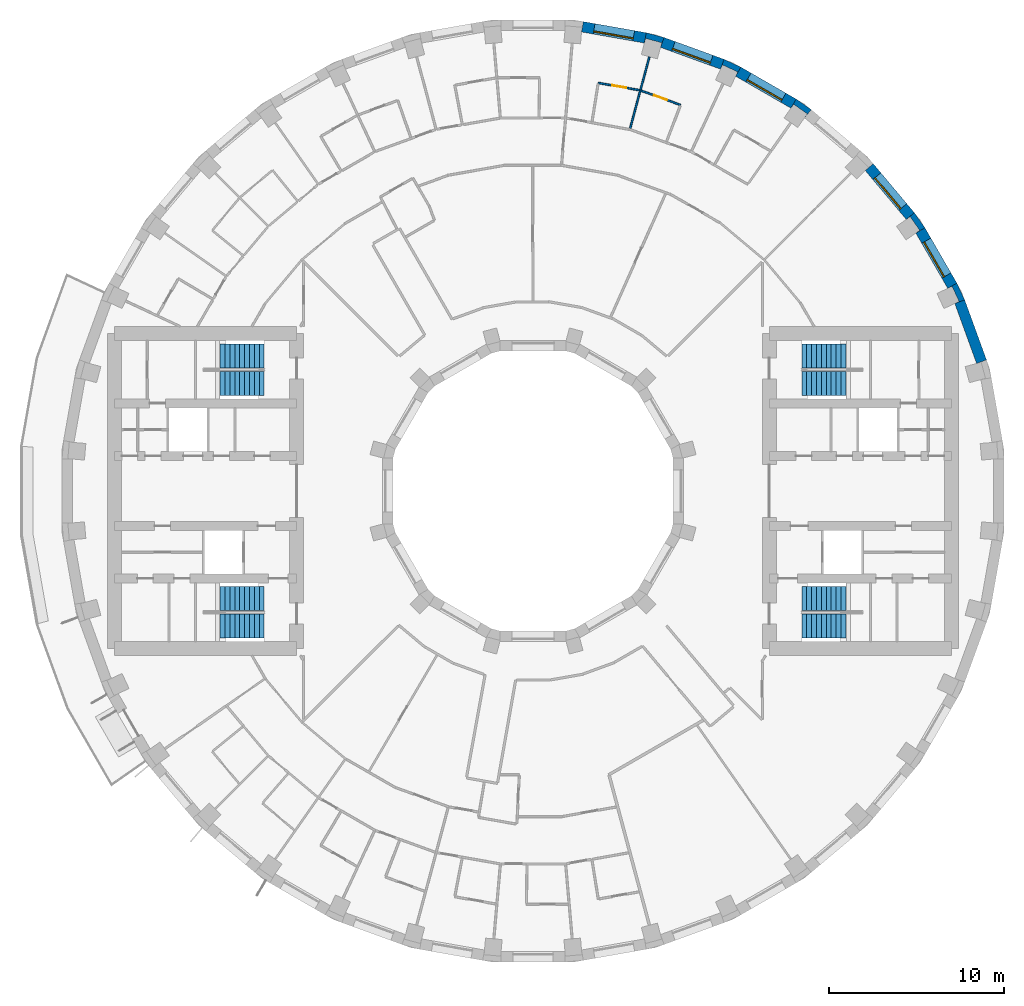
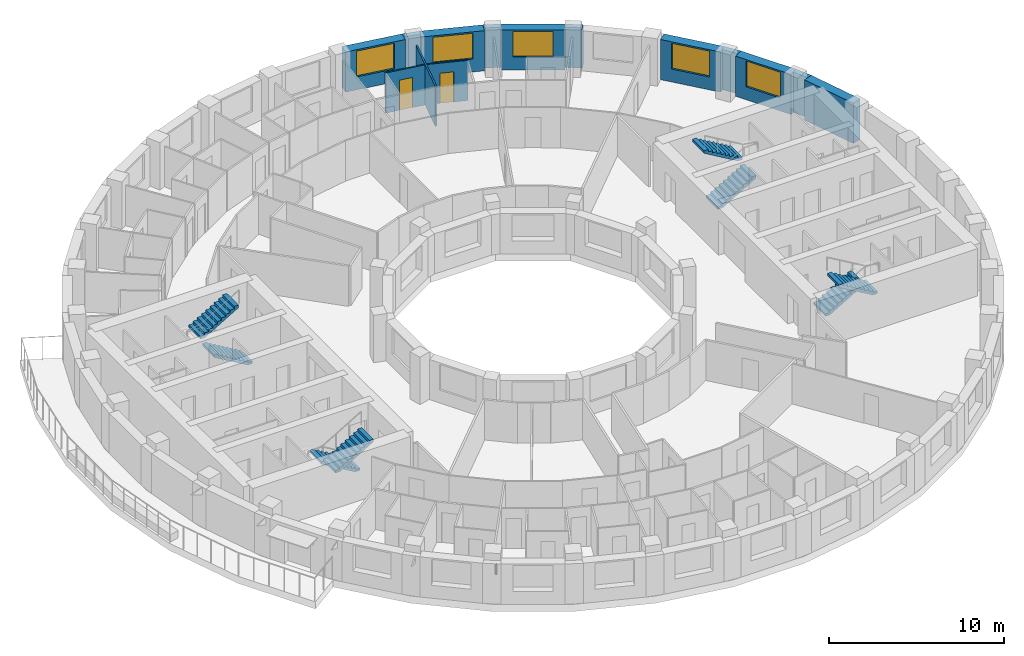
# One storey, part 11 of 13: 14 walls, 8 stair flights, 5 windows, 2 doors, 7 openings, 4 elements without a shape of their own.
"""IFC4 building model written with IfcOpenShell, lengths in metres."""

from ifc_helpers import new_model, si_unit, direction, frame, frame_2d, origin, place, context, subcontext, project, spatial, polyline, rectangle, outline, extrude, material, layer, layer_set, type_object, element, fill, aggregate, save


model = new_model("IFC4")

# Units and contexts
model_context = context("Model", 3, precision=1e-05, world=origin(), true_north=direction((0.0, 1.0)))
body_context = subcontext(model_context, "Body", "Model", "MODEL_VIEW")
ifc_project = project(units=[si_unit("LENGTHUNIT", "METRE"), si_unit("AREAUNIT", "SQUARE_METRE"), si_unit("VOLUMEUNIT", "CUBIC_METRE"), si_unit("PLANEANGLEUNIT", "RADIAN"), si_unit("MASSUNIT", "GRAM", prefix="KILO")], contexts=[model_context])

# Site, building, storey
site_placement = place(None, origin())
site = spatial("IfcSite", under=ifc_project, at=site_placement, CompositionType="ELEMENT")
building_placement = place(site_placement, origin())
building = spatial("IfcBuilding", under=site, at=building_placement, Name="Saqina Gate Tower", CompositionType="ELEMENT")
storey_placement = place(building_placement, frame((0.0, 0.0, 118.300048828125)))
storey = spatial("IfcBuildingStorey", under=building, at=storey_placement, Name="L33", CompositionType="ELEMENT", Elevation=118.300048828125)

# Walls
ifc_material_1 = material(Name="Brick masonry (buff)", Category="masonry")
wall_type_1 = type_object("IfcWallType", Name="BRICK PIER COPING BUFF", PredefinedType="SOLIDWALL", material=ifc_material_1)
wall_1_placement = place(storey_placement, origin())
element("IfcWall", 1, at=wall_1_placement, inside=storey, type_object=wall_type_1, Name="Pier cap L33 column 3", PredefinedType="SOLIDWALL", context=body_context, shape_type="SweptSolid", body=[
    extrude(outline(polyline([(24.6513671875, 10.913330078125), (24.205810546875, 11.869140625), (23.68603515625, 11.569091796875), (23.9296875, 11.6826171875), (24.331298828125, 10.82177734375), (24.08740234375, 10.7080078125), (24.6513671875, 10.913330078125)])), origin(), (0.0, 0.0, 1.0), 2.800048828125),
])
wall_2_placement = place(storey_placement, origin())
element("IfcWall", 2, at=wall_2_placement, inside=storey, type_object=wall_type_1, Name="Pier cap L33 column 4", PredefinedType="SOLIDWALL", context=body_context, shape_type="SweptSolid", body=[
    extrude(outline(polyline([(21.77685546875, 15.89208984375), (21.317138671875, 15.50634765625), (21.53759765625, 15.66064453125), (22.08251953125, 14.88232421875), (21.862060546875, 14.728271484375), (22.3818359375, 15.0283203125), (21.77685546875, 15.89208984375)])), origin(), (0.0, 0.0, 1.0), 2.800048828125),
])
wall_3_placement = place(storey_placement, origin())
element("IfcWall", 3, at=wall_3_placement, inside=storey, type_object=wall_type_1, Name="Pier cap L33 column 6", PredefinedType="SOLIDWALL", context=body_context, shape_type="SweptSolid", body=[
    extrude(outline(polyline([(15.0283203125, 22.3818359375), (14.728271484375, 21.862060546875), (14.88232421875, 22.08251953125), (15.66064453125, 21.53759765625), (15.50634765625, 21.317138671875), (15.89208984375, 21.77685546875), (15.0283203125, 22.3818359375)])), origin(), (0.0, 0.0, 1.0), 2.800048828125),
])
wall_4_placement = place(storey_placement, origin())
element("IfcWall", 4, at=wall_4_placement, inside=storey, type_object=wall_type_1, Name="Pier cap L33 column 7", PredefinedType="SOLIDWALL", context=body_context, shape_type="SweptSolid", body=[
    extrude(outline(polyline([(10.913330078125, 24.6513671875), (10.7080078125, 24.08740234375), (10.82177734375, 24.331298828125), (11.6826171875, 23.9296875), (11.569091796875, 23.68603515625), (11.869140625, 24.205810546875), (10.913330078125, 24.6513671875)])), origin(), (0.0, 0.0, 1.0), 2.800048828125),
])
wall_5_placement = place(storey_placement, origin())
element("IfcWall", 5, at=wall_5_placement, inside=storey, type_object=wall_type_1, Name="Pier cap L33 column 8", PredefinedType="SOLIDWALL", context=body_context, shape_type="SweptSolid", body=[
    extrude(outline(polyline([(7.485595703125, 25.89892578125), (6.466796875, 26.171875), (6.36279296875, 25.5810546875), (6.43212890625, 25.8408203125), (7.349853515625, 25.5947265625), (7.2802734375, 25.335205078125), (7.485595703125, 25.89892578125)])), origin(), (0.0, 0.0, 1.0), 2.800048828125),
])

# Wall, opening, window
ifc_material_2 = material(Name="Brick masonry (buff)", Category="masonry")
ifc_layer_1 = layer(ifc_material_2, 0.60009765625)
ifc_layer_set_1 = layer_set([ifc_layer_1], Name="FW-BRICK-BUFF")
wall_type_2 = type_object("IfcWallType", Name="FW-BRICK-BUFF", PredefinedType="SOLIDWALL", material=ifc_layer_set_1)
wall_6_placement = place(storey_placement, frame((23.94580078125, 11.718994140625, 0.0), z_axis=(0.0, 0.0, 1.0), x_axis=(-0.499954196102, 0.866051847062, 0.0)))
wall_6 = element("IfcWall", 6, at=wall_6_placement, inside=storey, type_object=wall_type_2, Name="Facade wall L33 facet 3", PredefinedType="SOLIDWALL", context=body_context, shape_type="SweptSolid", body=[
    extrude(rectangle(XDim=3.647705078125, YDim=0.60009765625, at=frame_2d((1.82373046875, 0.0))), origin(), (0.0, 0.0, 1.0), 2.800048828125),
])
opening_1_placement = place(wall_6_placement, frame((0.673828125, 0.0, 0.89990234375)))
opening_1 = element("IfcOpeningElement", 7, at=opening_1_placement, cuts=wall_6, Name="Opening G09-W01", PredefinedType="OPENING", context=body_context, shape_type="SweptSolid", body=[
    extrude(rectangle(XDim=2.300048828125, YDim=1.800048828125, at=frame_2d((1.14990234375, 0.89990234375))), frame((0.0, 0.31201171875, 0.0), z_axis=(0.0, -1.0, 0.0), x_axis=(1.0, 0.0, 0.0)), (0.0, 0.0, 1.0), 0.6240234375),
])
ifc_material_3 = material(Name="Aluminium glazing", Category="aluminium")
window_type = type_object("IfcWindowType", Name="WN-B", PartitioningType="SINGLE_PANEL", PredefinedType="WINDOW", material=ifc_material_3)
window_1_placement = place(opening_1_placement, origin())
window_1 = element("IfcWindow", 8, at=window_1_placement, inside=storey, type_object=window_type, Name="Window L33 facet 3", OverallHeight=1.800048828125, OverallWidth=2.300048828125, PartitioningType="SINGLE_PANEL", PredefinedType="WINDOW", context=body_context, shape_type="SweptSolid", body=[
    extrude(rectangle(XDim=2.300048828125, YDim=1.800048828125, at=frame_2d((1.14990234375, 0.89990234375))), frame((0.0, 0.179931640625, 0.0), z_axis=(0.0, -1.0, 0.0), x_axis=(1.0, 0.0, 0.0)), (0.0, 0.0, 1.0), 0.06005859375),
])
fill(opening_1, window_1)

wall_7_placement = place(storey_placement, frame((21.547119140625, 15.69921875, 0.0), z_axis=(0.0, 0.0, 1.0), x_axis=(-0.642774476932, 0.766055462616, 0.0)))
wall_7 = element("IfcWall", 9, at=wall_7_placement, inside=storey, type_object=wall_type_2, Name="Facade wall L33 facet 4", PredefinedType="SOLIDWALL", context=body_context, shape_type="SweptSolid", body=[
    extrude(rectangle(XDim=3.647705078125, YDim=0.60009765625, at=frame_2d((1.82373046875, 0.0))), origin(), (0.0, 0.0, 1.0), 2.800048828125),
])
opening_2_placement = place(wall_7_placement, frame((0.673828125, 0.0, 0.89990234375)))
opening_2 = element("IfcOpeningElement", 10, at=opening_2_placement, cuts=wall_7, Name="Opening G09-W02", PredefinedType="OPENING", context=body_context, shape_type="SweptSolid", body=[
    extrude(rectangle(XDim=2.300048828125, YDim=1.800048828125, at=frame_2d((1.14990234375, 0.89990234375))), frame((0.0, 0.31201171875, 0.0), z_axis=(0.0, -1.0, 0.0), x_axis=(1.0, 0.0, 0.0)), (0.0, 0.0, 1.0), 0.6240234375),
])
window_2_placement = place(opening_2_placement, origin())
window_2 = element("IfcWindow", 11, at=window_2_placement, inside=storey, type_object=window_type, Name="Window L33 facet 4", OverallHeight=1.800048828125, OverallWidth=2.300048828125, PartitioningType="SINGLE_PANEL", PredefinedType="WINDOW", context=body_context, shape_type="SweptSolid", body=[
    extrude(rectangle(XDim=2.300048828125, YDim=1.800048828125, at=frame_2d((1.14990234375, 0.89990234375))), frame((0.0, 0.179931640625, 0.0), z_axis=(0.0, -1.0, 0.0), x_axis=(1.0, 0.0, 0.0)), (0.0, 0.0, 1.0), 0.06005859375),
])
fill(opening_2, window_2)

wall_8_placement = place(storey_placement, frame((14.878173828125, 22.1220703125, 0.0), z_axis=(0.0, 0.0, 1.0), x_axis=(-0.866051847062, 0.499954196102, 0.0)))
wall_8 = element("IfcWall", 12, at=wall_8_placement, inside=storey, type_object=wall_type_2, Name="Facade wall L33 facet 6", PredefinedType="SOLIDWALL", context=body_context, shape_type="SweptSolid", body=[
    extrude(rectangle(XDim=3.647705078125, YDim=0.60009765625, at=frame_2d((1.82373046875, 0.0))), origin(), (0.0, 0.0, 1.0), 2.800048828125),
])
opening_3_placement = place(wall_8_placement, frame((0.673828125, 0.0, 0.89990234375)))
opening_3 = element("IfcOpeningElement", 13, at=opening_3_placement, cuts=wall_8, Name="Opening G09-W04", PredefinedType="OPENING", context=body_context, shape_type="SweptSolid", body=[
    extrude(rectangle(XDim=2.300048828125, YDim=1.800048828125, at=frame_2d((1.14990234375, 0.89990234375))), frame((0.0, 0.31201171875, 0.0), z_axis=(0.0, -1.0, 0.0), x_axis=(1.0, 0.0, 0.0)), (0.0, 0.0, 1.0), 0.6240234375),
])
window_3_placement = place(opening_3_placement, origin())
window_3 = element("IfcWindow", 14, at=window_3_placement, inside=storey, type_object=window_type, Name="Window L33 facet 6", OverallHeight=1.800048828125, OverallWidth=2.300048828125, PartitioningType="SINGLE_PANEL", PredefinedType="WINDOW", context=body_context, shape_type="SweptSolid", body=[
    extrude(rectangle(XDim=2.300048828125, YDim=1.800048828125, at=frame_2d((1.14990234375, 0.89990234375))), frame((0.0, 0.179931640625, 0.0), z_axis=(0.0, -1.0, 0.0), x_axis=(1.0, 0.0, 0.0)), (0.0, 0.0, 1.0), 0.06005859375),
])
fill(opening_3, window_3)

wall_9_placement = place(storey_placement, frame((10.810791015625, 24.369384765625, 0.0), z_axis=(0.0, 0.0, 1.0), x_axis=(-0.939703505393, 0.341990236633, 0.0)))
wall_9 = element("IfcWall", 15, at=wall_9_placement, inside=storey, type_object=wall_type_2, Name="Facade wall L33 facet 7", PredefinedType="SOLIDWALL", context=body_context, shape_type="SweptSolid", body=[
    extrude(rectangle(XDim=3.64794921875, YDim=0.60009765625, at=frame_2d((1.823974609375, 0.0))), origin(), (0.0, 0.0, 1.0), 2.800048828125),
])
opening_4_placement = place(wall_9_placement, frame((0.673828125, 0.0, 0.89990234375)))
opening_4 = element("IfcOpeningElement", 16, at=opening_4_placement, cuts=wall_9, Name="Opening G09-W05", PredefinedType="OPENING", context=body_context, shape_type="SweptSolid", body=[
    extrude(rectangle(XDim=2.300048828125, YDim=1.800048828125, at=frame_2d((1.14990234375, 0.89990234375))), frame((0.0, 0.31201171875, 0.0), z_axis=(0.0, -1.0, 0.0), x_axis=(1.0, 0.0, 0.0)), (0.0, 0.0, 1.0), 0.6240234375),
])
window_4_placement = place(opening_4_placement, origin())
window_4 = element("IfcWindow", 17, at=window_4_placement, inside=storey, type_object=window_type, Name="Window L33 facet 7", OverallHeight=1.800048828125, OverallWidth=2.300048828125, PartitioningType="SINGLE_PANEL", PredefinedType="WINDOW", context=body_context, shape_type="SweptSolid", body=[
    extrude(rectangle(XDim=2.300048828125, YDim=1.800048828125, at=frame_2d((1.14990234375, 0.89990234375))), frame((0.0, 0.179931640625, 0.0), z_axis=(0.0, -1.0, 0.0), x_axis=(1.0, 0.0, 0.0)), (0.0, 0.0, 1.0), 0.06005859375),
])
fill(opening_4, window_4)

wall_10_placement = place(storey_placement, frame((6.414794921875, 25.87646484375, 0.0), z_axis=(0.0, 0.0, 1.0), x_axis=(-0.984803764455, 0.173670796382, 0.0)))
wall_10 = element("IfcWall", 18, at=wall_10_placement, inside=storey, type_object=wall_type_2, Name="Facade wall L33 facet 8", PredefinedType="SOLIDWALL", context=body_context, shape_type="SweptSolid", body=[
    extrude(rectangle(XDim=3.64794921875, YDim=0.60009765625, at=frame_2d((1.823974609375, 0.0))), origin(), (0.0, 0.0, 1.0), 2.800048828125),
])
opening_5_placement = place(wall_10_placement, frame((0.673828125, 0.0, 0.89990234375)))
opening_5 = element("IfcOpeningElement", 19, at=opening_5_placement, cuts=wall_10, Name="Opening G09-W06", PredefinedType="OPENING", context=body_context, shape_type="SweptSolid", body=[
    extrude(rectangle(XDim=2.300048828125, YDim=1.800048828125, at=frame_2d((1.14990234375, 0.89990234375))), frame((0.0, 0.31201171875, 0.0), z_axis=(0.0, -1.0, 0.0), x_axis=(1.0, 0.0, 0.0)), (0.0, 0.0, 1.0), 0.6240234375),
])
window_5_placement = place(opening_5_placement, origin())
window_5 = element("IfcWindow", 20, at=window_5_placement, inside=storey, type_object=window_type, Name="Window L33 facet 8", OverallHeight=1.800048828125, OverallWidth=2.300048828125, PartitioningType="SINGLE_PANEL", PredefinedType="WINDOW", context=body_context, shape_type="SweptSolid", body=[
    extrude(rectangle(XDim=2.300048828125, YDim=1.800048828125, at=frame_2d((1.14990234375, 0.89990234375))), frame((0.0, 0.179931640625, 0.0), z_axis=(0.0, -1.0, 0.0), x_axis=(1.0, 0.0, 0.0)), (0.0, 0.0, 1.0), 0.06005859375),
])
fill(opening_5, window_5)

# Wall
ifc_material_4 = material(Name="Glazed ceramic tile", Category="ceramic")
ifc_layer_2 = layer(ifc_material_4, 0.60009765625)
ifc_layer_set_2 = layer_set([ifc_layer_2], Name="FW-TILE")
wall_type_3 = type_object("IfcWallType", Name="FW-TILE", PredefinedType="SOLIDWALL", material=ifc_layer_set_2)
wall_11_placement = place(storey_placement, frame((25.616943359375, 7.3828125, 0.0), z_axis=(0.0, 0.0, 1.0), x_axis=(-0.341990236633, 0.939703505393, 0.0)))
element("IfcWall", 21, at=wall_11_placement, inside=storey, type_object=wall_type_3, Name="Facade wall L33 facet 2", PredefinedType="SOLIDWALL", context=body_context, shape_type="SweptSolid", body=[
    extrude(rectangle(XDim=3.64794921875, YDim=0.60009765625, at=frame_2d((1.823974609375, 0.0))), origin(), (0.0, 0.0, 1.0), 2.800048828125),
])

# Wall, opening, door
ifc_material_5 = material(Name="Gypsum board on steel studs, 100 mm", Category="steel")
ifc_layer_3 = layer(ifc_material_5, 0.10009765625)
ifc_layer_set_3 = layer_set([ifc_layer_3], Name="PARTITION 100")
wall_type_4 = type_object("IfcWallType", Name="PARTITION 100", PredefinedType="PARTITIONING", material=ifc_layer_set_3)
wall_12_placement = place(storey_placement, frame((6.177978515625, 22.86279296875, 0.0), z_axis=(0.0, 0.0, 1.0), x_axis=(0.93973977618, -0.341890557146, 0.0)))
wall_12 = element("IfcWall", 22, at=wall_12_placement, inside=storey, type_object=wall_type_4, Name="PARTITION PW3-43", PredefinedType="PARTITIONING", context=body_context, shape_type="SweptSolid", body=[
    extrude(rectangle(XDim=2.39208984375, YDim=0.10009765625, at=frame_2d((1.196044921875, 0.0))), origin(), (0.0, 0.0, 1.0), 2.800048828125),
])
opening_6_placement = place(wall_12_placement, frame((0.77099609375, 0.0, 0.0)))
opening_6 = element("IfcOpeningElement", 23, at=opening_6_placement, cuts=wall_12, Name="Opening G09-D07", PredefinedType="OPENING", context=body_context, shape_type="SweptSolid", body=[
    extrude(rectangle(XDim=0.800048828125, YDim=2.10009765625, at=frame_2d((0.39990234375, 1.050048828125))), frame((0.0, 0.06201171875, 0.0), z_axis=(0.0, -1.0, 0.0), x_axis=(1.0, 0.0, 0.0)), (0.0, 0.0, 1.0), 0.1240234375),
])
ifc_material_6 = material(Name="Timber door leaf, 800 mm", Category="wood")
door_type = type_object("IfcDoorType", Name="DOOR 800 TIMBER", OperationType="SINGLE_SWING_LEFT", PredefinedType="DOOR", material=ifc_material_6)
door_1_placement = place(opening_6_placement, origin())
door_1 = element("IfcDoor", 24, at=door_1_placement, inside=storey, type_object=door_type, Name="DOOR G09-D07", OperationType="SINGLE_SWING_LEFT", OverallHeight=2.10009765625, OverallWidth=0.800048828125, PredefinedType="DOOR", context=body_context, shape_type="SweptSolid", body=[
    extrude(rectangle(XDim=0.800048828125, YDim=2.10009765625, at=frame_2d((0.39990234375, 1.050048828125))), frame((0.0, 0.02490234375, 0.0), z_axis=(0.0, -1.0, 0.0), x_axis=(1.0, 0.0, 0.0)), (0.0, 0.0, 1.0), 0.050048828125),
])
fill(opening_6, door_1)

wall_13_placement = place(storey_placement, frame((3.72509765625, 23.303955078125, 0.0), z_axis=(0.0, 0.0, 1.0), x_axis=(0.984826665662, -0.173540884522, 0.0)))
wall_13 = element("IfcWall", 25, at=wall_13_placement, inside=storey, type_object=wall_type_4, Name="PARTITION PW3-50", PredefinedType="PARTITIONING", context=body_context, shape_type="SweptSolid", body=[
    extrude(rectangle(XDim=2.39306640625, YDim=0.10009765625, at=frame_2d((1.196533203125, 0.0))), origin(), (0.0, 0.0, 1.0), 2.800048828125),
])
opening_7_placement = place(wall_13_placement, frame((0.821533203125, 0.0, 0.0)))
opening_7 = element("IfcOpeningElement", 26, at=opening_7_placement, cuts=wall_13, Name="Opening G09-D08", PredefinedType="OPENING", context=body_context, shape_type="SweptSolid", body=[
    extrude(rectangle(XDim=0.800048828125, YDim=2.10009765625, at=frame_2d((0.39990234375, 1.050048828125))), frame((0.0, 0.06201171875, 0.0), z_axis=(0.0, -1.0, 0.0), x_axis=(1.0, 0.0, 0.0)), (0.0, 0.0, 1.0), 0.1240234375),
])
door_2_placement = place(opening_7_placement, origin())
door_2 = element("IfcDoor", 27, at=door_2_placement, inside=storey, type_object=door_type, Name="DOOR G09-D08", OperationType="SINGLE_SWING_RIGHT", OverallHeight=2.10009765625, OverallWidth=0.800048828125, PredefinedType="DOOR", context=body_context, shape_type="SweptSolid", body=[
    extrude(rectangle(XDim=0.800048828125, YDim=2.10009765625, at=frame_2d((0.39990234375, 1.050048828125))), frame((0.0, 0.02490234375, 0.0), z_axis=(0.0, -1.0, 0.0), x_axis=(1.0, 0.0, 0.0)), (0.0, 0.0, 1.0), 0.050048828125),
])
fill(opening_7, door_2)

# Wall
wall_14_placement = place(storey_placement, frame((5.547119140625, 20.697998046875, 0.0), z_axis=(0.0, 0.0, 1.0), x_axis=(0.258516199654, 0.966006922603, 0.0)))
element("IfcWall", 28, at=wall_14_placement, inside=storey, type_object=wall_type_4, Name="PARTITION PW3-99", PredefinedType="PARTITIONING", context=body_context, shape_type="SweptSolid", body=[
    extrude(rectangle(XDim=4.236572265625, YDim=0.10009765625, at=frame_2d((2.1181640625, 0.0))), origin(), (0.0, 0.0, 1.0), 2.800048828125),
])

# Stair, stair flights
ifc_material_7 = material(Name="Concrete C40/50", Category="concrete")
stair_type = type_object("IfcStairType", Name="EXIT STAIR", PredefinedType="HALF_TURN_STAIR", material=ifc_material_7)
stair_1_placement = place(storey_placement, origin())
stair_1 = element("IfcStair", 29, at=stair_1_placement, inside=storey, type_object=stair_type, Name="EXIT STAIR 1", PredefinedType="HALF_TURN_STAIR")
ifc_material_8 = material(Name="Concrete C40/50", Category="concrete")
stair_flight_type = type_object("IfcStairFlightType", Name="EXIT STAIR FLIGHT", PredefinedType="STRAIGHT", material=ifc_material_8)
stair_flight_1_placement = place(storey_placement, frame((15.35009765625, 6.1416015625, 0.0), z_axis=(0.0, 0.0, 1.0), x_axis=(1.0, 0.0, 0.0)))
stair_flight_1 = element("IfcStairFlight", 30, at=stair_flight_1_placement, type_object=stair_flight_type, Name="EXIT STAIR 1 FLIGHT 1", NumberOfRisers=10, NumberOfTreads=9, PredefinedType="STRAIGHT", RiserHeight=0.165, TreadLength=0.28, context=body_context, shape_type="SweptSolid", body=[
    extrude(outline(polyline([(0.0, 0.0), (0.0, 0.1650390625), (0.280029296875, 0.1650390625), (0.280029296875, 0.330078125), (0.56005859375, 0.330078125), (0.56005859375, 0.4951171875), (0.840087890625, 0.4951171875), (0.840087890625, 0.659912109375), (1.1201171875, 0.659912109375), (1.1201171875, 0.824951171875), (1.39990234375, 0.824951171875), (1.39990234375, 0.989990234375), (1.679931640625, 0.989990234375), (1.679931640625, 1.155029296875), (1.9599609375, 1.155029296875), (1.9599609375, 1.320068359375), (2.239990234375, 1.320068359375), (2.239990234375, 1.485107421875), (2.52001953125, 1.485107421875), (2.52001953125, 1.64990234375), (2.52001953125, 1.31103515625), (0.295166015625, 0.0), (0.0, 0.0)])), frame((0.0, 0.675048828125, 0.0), z_axis=(0.0, -1.0, 0.0), x_axis=(1.0, 0.0, 0.0)), (0.0, 0.0, 1.0), 1.35009765625),
])
stair_flight_2_placement = place(storey_placement, frame((17.8701171875, 7.708251953125, 1.64990234375), z_axis=(0.0, 0.0, 1.0), x_axis=(-1.0, 0.0, 0.0)))
stair_flight_2 = element("IfcStairFlight", 31, at=stair_flight_2_placement, type_object=stair_flight_type, Name="EXIT STAIR 1 FLIGHT 2", NumberOfRisers=10, NumberOfTreads=9, PredefinedType="STRAIGHT", RiserHeight=0.165, TreadLength=0.28, context=body_context, shape_type="SweptSolid", body=[
    extrude(outline(polyline([(0.0, 0.0), (0.0, 0.1650390625), (0.280029296875, 0.1650390625), (0.280029296875, 0.330078125), (0.56005859375, 0.330078125), (0.56005859375, 0.4951171875), (0.840087890625, 0.4951171875), (0.840087890625, 0.659912109375), (1.1201171875, 0.659912109375), (1.1201171875, 0.824951171875), (1.39990234375, 0.824951171875), (1.39990234375, 0.989990234375), (1.679931640625, 0.989990234375), (1.679931640625, 1.155029296875), (1.9599609375, 1.155029296875), (1.9599609375, 1.320068359375), (2.239990234375, 1.320068359375), (2.239990234375, 1.485107421875), (2.52001953125, 1.485107421875), (2.52001953125, 1.64990234375), (2.52001953125, 1.31103515625), (0.295166015625, 0.0), (0.0, 0.0)])), frame((0.0, 0.675048828125, 0.0), z_axis=(0.0, -1.0, 0.0), x_axis=(1.0, 0.0, 0.0)), (0.0, 0.0, 1.0), 1.35009765625),
])
aggregate(stair_1, [stair_flight_1, stair_flight_2])

stair_2_placement = place(storey_placement, origin())
stair_2 = element("IfcStair", 32, at=stair_2_placement, inside=storey, type_object=stair_type, Name="EXIT STAIR 2", PredefinedType="HALF_TURN_STAIR")
stair_flight_3_placement = place(storey_placement, frame((15.35009765625, -6.1416015625, 0.0), z_axis=(0.0, 0.0, 1.0), x_axis=(1.0, 0.0, 0.0)))
stair_flight_3 = element("IfcStairFlight", 33, at=stair_flight_3_placement, type_object=stair_flight_type, Name="EXIT STAIR 2 FLIGHT 1", NumberOfRisers=10, NumberOfTreads=9, PredefinedType="STRAIGHT", RiserHeight=0.165, TreadLength=0.28, context=body_context, shape_type="SweptSolid", body=[
    extrude(outline(polyline([(0.0, 0.0), (0.0, 0.1650390625), (0.280029296875, 0.1650390625), (0.280029296875, 0.330078125), (0.56005859375, 0.330078125), (0.56005859375, 0.4951171875), (0.840087890625, 0.4951171875), (0.840087890625, 0.659912109375), (1.1201171875, 0.659912109375), (1.1201171875, 0.824951171875), (1.39990234375, 0.824951171875), (1.39990234375, 0.989990234375), (1.679931640625, 0.989990234375), (1.679931640625, 1.155029296875), (1.9599609375, 1.155029296875), (1.9599609375, 1.320068359375), (2.239990234375, 1.320068359375), (2.239990234375, 1.485107421875), (2.52001953125, 1.485107421875), (2.52001953125, 1.64990234375), (2.52001953125, 1.31103515625), (0.295166015625, 0.0), (0.0, 0.0)])), frame((0.0, 0.675048828125, 0.0), z_axis=(0.0, -1.0, 0.0), x_axis=(1.0, 0.0, 0.0)), (0.0, 0.0, 1.0), 1.35009765625),
])
stair_flight_4_placement = place(storey_placement, frame((17.8701171875, -7.708251953125, 1.64990234375), z_axis=(0.0, 0.0, 1.0), x_axis=(-1.0, 0.0, 0.0)))
stair_flight_4 = element("IfcStairFlight", 34, at=stair_flight_4_placement, type_object=stair_flight_type, Name="EXIT STAIR 2 FLIGHT 2", NumberOfRisers=10, NumberOfTreads=9, PredefinedType="STRAIGHT", RiserHeight=0.165, TreadLength=0.28, context=body_context, shape_type="SweptSolid", body=[
    extrude(outline(polyline([(0.0, 0.0), (0.0, 0.1650390625), (0.280029296875, 0.1650390625), (0.280029296875, 0.330078125), (0.56005859375, 0.330078125), (0.56005859375, 0.4951171875), (0.840087890625, 0.4951171875), (0.840087890625, 0.659912109375), (1.1201171875, 0.659912109375), (1.1201171875, 0.824951171875), (1.39990234375, 0.824951171875), (1.39990234375, 0.989990234375), (1.679931640625, 0.989990234375), (1.679931640625, 1.155029296875), (1.9599609375, 1.155029296875), (1.9599609375, 1.320068359375), (2.239990234375, 1.320068359375), (2.239990234375, 1.485107421875), (2.52001953125, 1.485107421875), (2.52001953125, 1.64990234375), (2.52001953125, 1.31103515625), (0.295166015625, 0.0), (0.0, 0.0)])), frame((0.0, 0.675048828125, 0.0), z_axis=(0.0, -1.0, 0.0), x_axis=(1.0, 0.0, 0.0)), (0.0, 0.0, 1.0), 1.35009765625),
])
aggregate(stair_2, [stair_flight_3, stair_flight_4])

stair_3_placement = place(storey_placement, origin())
stair_3 = element("IfcStair", 35, at=stair_3_placement, inside=storey, type_object=stair_type, Name="EXIT STAIR 3", PredefinedType="HALF_TURN_STAIR")
stair_flight_5_placement = place(storey_placement, frame((-15.35009765625, 6.1416015625, 0.0), z_axis=(0.0, 0.0, 1.0), x_axis=(-1.0, 0.0, 0.0)))
stair_flight_5 = element("IfcStairFlight", 36, at=stair_flight_5_placement, type_object=stair_flight_type, Name="EXIT STAIR 3 FLIGHT 1", NumberOfRisers=10, NumberOfTreads=9, PredefinedType="STRAIGHT", RiserHeight=0.165, TreadLength=0.28, context=body_context, shape_type="SweptSolid", body=[
    extrude(outline(polyline([(0.0, 0.0), (0.0, 0.1650390625), (0.280029296875, 0.1650390625), (0.280029296875, 0.330078125), (0.56005859375, 0.330078125), (0.56005859375, 0.4951171875), (0.840087890625, 0.4951171875), (0.840087890625, 0.659912109375), (1.1201171875, 0.659912109375), (1.1201171875, 0.824951171875), (1.39990234375, 0.824951171875), (1.39990234375, 0.989990234375), (1.679931640625, 0.989990234375), (1.679931640625, 1.155029296875), (1.9599609375, 1.155029296875), (1.9599609375, 1.320068359375), (2.239990234375, 1.320068359375), (2.239990234375, 1.485107421875), (2.52001953125, 1.485107421875), (2.52001953125, 1.64990234375), (2.52001953125, 1.31103515625), (0.295166015625, 0.0), (0.0, 0.0)])), frame((0.0, 0.675048828125, 0.0), z_axis=(0.0, -1.0, 0.0), x_axis=(1.0, 0.0, 0.0)), (0.0, 0.0, 1.0), 1.35009765625),
])
stair_flight_6_placement = place(storey_placement, frame((-17.8701171875, 7.708251953125, 1.64990234375), z_axis=(0.0, 0.0, 1.0), x_axis=(1.0, 0.0, 0.0)))
stair_flight_6 = element("IfcStairFlight", 37, at=stair_flight_6_placement, type_object=stair_flight_type, Name="EXIT STAIR 3 FLIGHT 2", NumberOfRisers=10, NumberOfTreads=9, PredefinedType="STRAIGHT", RiserHeight=0.165, TreadLength=0.28, context=body_context, shape_type="SweptSolid", body=[
    extrude(outline(polyline([(0.0, 0.0), (0.0, 0.1650390625), (0.280029296875, 0.1650390625), (0.280029296875, 0.330078125), (0.56005859375, 0.330078125), (0.56005859375, 0.4951171875), (0.840087890625, 0.4951171875), (0.840087890625, 0.659912109375), (1.1201171875, 0.659912109375), (1.1201171875, 0.824951171875), (1.39990234375, 0.824951171875), (1.39990234375, 0.989990234375), (1.679931640625, 0.989990234375), (1.679931640625, 1.155029296875), (1.9599609375, 1.155029296875), (1.9599609375, 1.320068359375), (2.239990234375, 1.320068359375), (2.239990234375, 1.485107421875), (2.52001953125, 1.485107421875), (2.52001953125, 1.64990234375), (2.52001953125, 1.31103515625), (0.295166015625, 0.0), (0.0, 0.0)])), frame((0.0, 0.675048828125, 0.0), z_axis=(0.0, -1.0, 0.0), x_axis=(1.0, 0.0, 0.0)), (0.0, 0.0, 1.0), 1.35009765625),
])
aggregate(stair_3, [stair_flight_5, stair_flight_6])

stair_4_placement = place(storey_placement, origin())
stair_4 = element("IfcStair", 38, at=stair_4_placement, inside=storey, type_object=stair_type, Name="EXIT STAIR 4", PredefinedType="HALF_TURN_STAIR")
stair_flight_7_placement = place(storey_placement, frame((-15.35009765625, -6.1416015625, 0.0), z_axis=(0.0, 0.0, 1.0), x_axis=(-1.0, 0.0, 0.0)))
stair_flight_7 = element("IfcStairFlight", 39, at=stair_flight_7_placement, type_object=stair_flight_type, Name="EXIT STAIR 4 FLIGHT 1", NumberOfRisers=10, NumberOfTreads=9, PredefinedType="STRAIGHT", RiserHeight=0.165, TreadLength=0.28, context=body_context, shape_type="SweptSolid", body=[
    extrude(outline(polyline([(0.0, 0.0), (0.0, 0.1650390625), (0.280029296875, 0.1650390625), (0.280029296875, 0.330078125), (0.56005859375, 0.330078125), (0.56005859375, 0.4951171875), (0.840087890625, 0.4951171875), (0.840087890625, 0.659912109375), (1.1201171875, 0.659912109375), (1.1201171875, 0.824951171875), (1.39990234375, 0.824951171875), (1.39990234375, 0.989990234375), (1.679931640625, 0.989990234375), (1.679931640625, 1.155029296875), (1.9599609375, 1.155029296875), (1.9599609375, 1.320068359375), (2.239990234375, 1.320068359375), (2.239990234375, 1.485107421875), (2.52001953125, 1.485107421875), (2.52001953125, 1.64990234375), (2.52001953125, 1.31103515625), (0.295166015625, 0.0), (0.0, 0.0)])), frame((0.0, 0.675048828125, 0.0), z_axis=(0.0, -1.0, 0.0), x_axis=(1.0, 0.0, 0.0)), (0.0, 0.0, 1.0), 1.35009765625),
])
stair_flight_8_placement = place(storey_placement, frame((-17.8701171875, -7.708251953125, 1.64990234375), z_axis=(0.0, 0.0, 1.0), x_axis=(1.0, 0.0, 0.0)))
stair_flight_8 = element("IfcStairFlight", 40, at=stair_flight_8_placement, type_object=stair_flight_type, Name="EXIT STAIR 4 FLIGHT 2", NumberOfRisers=10, NumberOfTreads=9, PredefinedType="STRAIGHT", RiserHeight=0.165, TreadLength=0.28, context=body_context, shape_type="SweptSolid", body=[
    extrude(outline(polyline([(0.0, 0.0), (0.0, 0.1650390625), (0.280029296875, 0.1650390625), (0.280029296875, 0.330078125), (0.56005859375, 0.330078125), (0.56005859375, 0.4951171875), (0.840087890625, 0.4951171875), (0.840087890625, 0.659912109375), (1.1201171875, 0.659912109375), (1.1201171875, 0.824951171875), (1.39990234375, 0.824951171875), (1.39990234375, 0.989990234375), (1.679931640625, 0.989990234375), (1.679931640625, 1.155029296875), (1.9599609375, 1.155029296875), (1.9599609375, 1.320068359375), (2.239990234375, 1.320068359375), (2.239990234375, 1.485107421875), (2.52001953125, 1.485107421875), (2.52001953125, 1.64990234375), (2.52001953125, 1.31103515625), (0.295166015625, 0.0), (0.0, 0.0)])), frame((0.0, 0.675048828125, 0.0), z_axis=(0.0, -1.0, 0.0), x_axis=(1.0, 0.0, 0.0)), (0.0, 0.0, 1.0), 1.35009765625),
])
aggregate(stair_4, [stair_flight_7, stair_flight_8])

save(model, "model.ifc")
